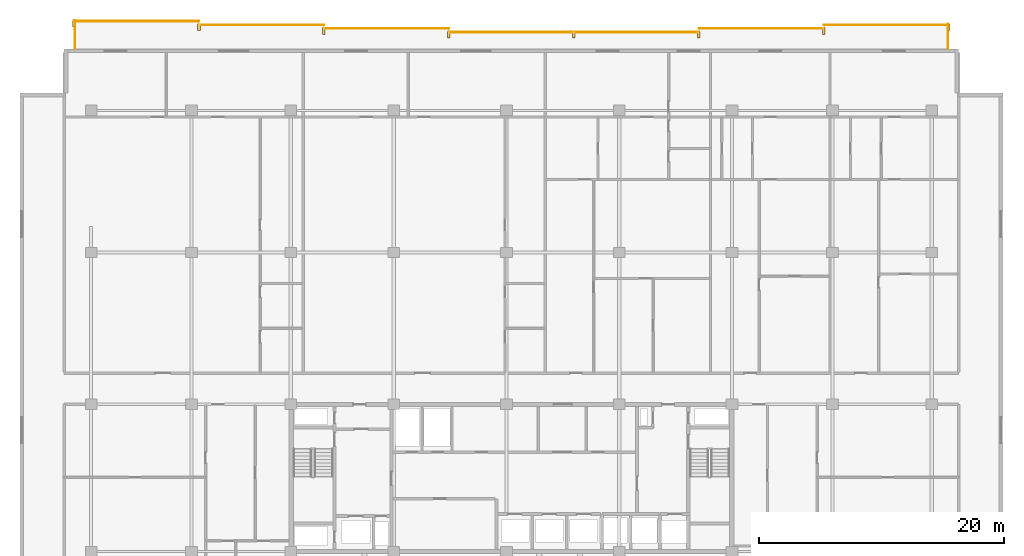
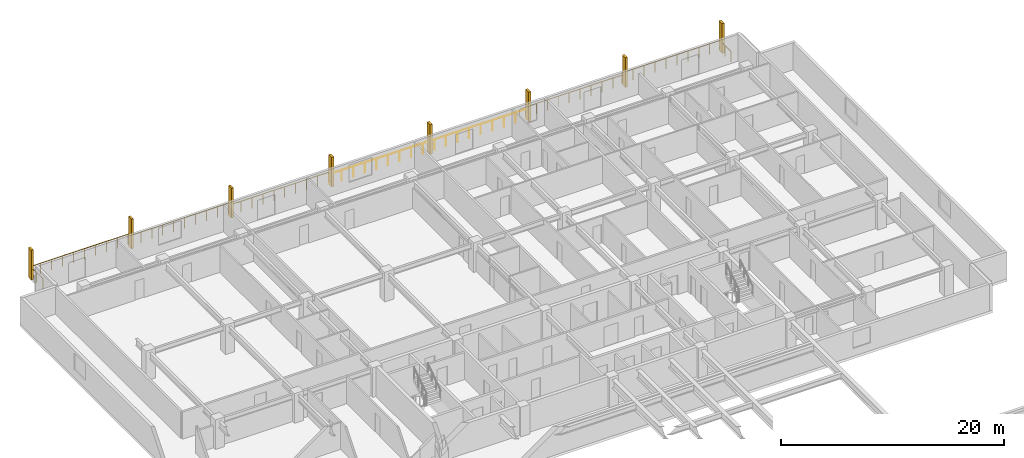
# One storey, part 21 of 21: 8 railings, 8 shading devices.
"""IFC4 building model written with IfcOpenShell, lengths in metres."""

from ifc_helpers import new_model, si_unit, direction, frame, origin, origin_2d, place, context, subcontext, project, spatial, rectangle, circle, extrude, material, type_object, element, save


model = new_model("IFC4")

# Units and contexts
model_context = context("Model", 3, precision=1e-05, world=origin(), true_north=direction((0.0, 1.0)))
body_context = subcontext(model_context, "Body", "Model", "MODEL_VIEW")
ifc_project = project(units=[si_unit("LENGTHUNIT", "METRE"), si_unit("AREAUNIT", "SQUARE_METRE"), si_unit("VOLUMEUNIT", "CUBIC_METRE"), si_unit("PLANEANGLEUNIT", "RADIAN"), si_unit("MASSUNIT", "GRAM", prefix="KILO")], contexts=[model_context])

# Site, building, storey
site_placement = place(None, origin())
site = spatial("IfcSite", under=ifc_project, at=site_placement, CompositionType="ELEMENT")
building_placement = place(site_placement, origin())
building = spatial("IfcBuilding", under=site, at=building_placement, Name="Korimba Cascade Residences", CompositionType="ELEMENT")
storey_placement = place(building_placement, frame((0.0, 0.0, 136.050048828125)))
storey = spatial("IfcBuildingStorey", under=building, at=storey_placement, Name="L39", CompositionType="ELEMENT", Elevation=136.050048828125)

# Railings
ifc_material_1 = material(Name="Laminated Glass and Bronze Balustrade", Category="glass")
railing_type = type_object("IfcRailingType", Name="RLG-LOG-1150", PredefinedType="BALUSTRADE", material=ifc_material_1)
railing_1_placement = place(storey_placement, frame((129.719970703125, 96.199951171875, 0.0)))
element("IfcRailing", 1, at=railing_1_placement, inside=storey, type_object=railing_type, Name="L39 Perimeter Guardrail RLG-L39-T1-LOG-01", PredefinedType="BALUSTRADE", context=body_context, shape_type="SweptSolid", body=[
    extrude(circle(Radius=0.02392578125, at=origin_2d()), frame((0.0, 0.0, 1.1259765625), z_axis=(0.0, 1.0, 0.0), x_axis=(-1.0, 0.0, 0.0)), (0.0, 0.0, 1.0), 2.050048828125),
    extrude(circle(Radius=0.02099609375, at=origin_2d()), origin(), (0.0, 0.0, 1.0), 1.101806640625),
    extrude(circle(Radius=0.02099609375, at=origin_2d()), frame((0.0, 1.02490234375, 0.0)), (0.0, 0.0, 1.0), 1.101806640625),
    extrude(circle(Radius=0.02099609375, at=origin_2d()), frame((0.0, 2.050048828125, 0.0)), (0.0, 0.0, 1.0), 1.101806640625),
])
railing_2_placement = place(storey_placement, frame((129.800048828125, 98.169921875, 0.0)))
element("IfcRailing", 2, at=railing_2_placement, inside=storey, type_object=railing_type, Name="L39 Perimeter Guardrail RLG-L39-T1-LOG-02", PredefinedType="BALUSTRADE", context=body_context, shape_type="SweptSolid", body=[
    extrude(circle(Radius=0.02392578125, at=origin_2d()), frame((0.0, 0.0, 1.1259765625), z_axis=(-1.0, 0.0, 0.0), x_axis=(0.0, -1.0, 0.0)), (0.0, 0.0, 1.0), 10.199951171875),
    extrude(circle(Radius=0.02099609375, at=origin_2d()), origin(), (0.0, 0.0, 1.0), 1.101806640625),
    extrude(circle(Radius=0.02099609375, at=origin_2d()), frame((-1.13330078125, 0.0, 0.0)), (0.0, 0.0, 1.0), 1.101806640625),
    extrude(circle(Radius=0.02099609375, at=origin_2d()), frame((-2.2666015625, 0.0, 0.0)), (0.0, 0.0, 1.0), 1.101806640625),
    extrude(circle(Radius=0.02099609375, at=origin_2d()), frame((-3.39990234375, 0.0, 0.0)), (0.0, 0.0, 1.0), 1.101806640625),
    extrude(circle(Radius=0.02099609375, at=origin_2d()), frame((-4.533203125, 0.0, 0.0)), (0.0, 0.0, 1.0), 1.101806640625),
    extrude(circle(Radius=0.02099609375, at=origin_2d()), frame((-5.666748046875, 0.0, 0.0)), (0.0, 0.0, 1.0), 1.101806640625),
    extrude(circle(Radius=0.02099609375, at=origin_2d()), frame((-6.800048828125, 0.0, 0.0)), (0.0, 0.0, 1.0), 1.101806640625),
    extrude(circle(Radius=0.02099609375, at=origin_2d()), frame((-7.933349609375, 0.0, 0.0)), (0.0, 0.0, 1.0), 1.101806640625),
    extrude(circle(Radius=0.02099609375, at=origin_2d()), frame((-9.066650390625, 0.0, 0.0)), (0.0, 0.0, 1.0), 1.101806640625),
    extrude(circle(Radius=0.02099609375, at=origin_2d()), frame((-10.199951171875, 0.0, 0.0)), (0.0, 0.0, 1.0), 1.101806640625),
])
railing_3_placement = place(storey_placement, frame((119.60009765625, 97.8701171875, 0.0)))
element("IfcRailing", 3, at=railing_3_placement, inside=storey, type_object=railing_type, Name="L39 Perimeter Guardrail RLG-L39-T1-LOG-03", PredefinedType="BALUSTRADE", context=body_context, shape_type="SweptSolid", body=[
    extrude(circle(Radius=0.02392578125, at=origin_2d()), frame((0.0, 0.0, 1.1259765625), z_axis=(-1.0, 0.0, 0.0), x_axis=(0.0, -1.0, 0.0)), (0.0, 0.0, 1.0), 10.2001953125),
    extrude(circle(Radius=0.02099609375, at=origin_2d()), origin(), (0.0, 0.0, 1.0), 1.101806640625),
    extrude(circle(Radius=0.02099609375, at=origin_2d()), frame((-1.13330078125, 0.0, 0.0)), (0.0, 0.0, 1.0), 1.101806640625),
    extrude(circle(Radius=0.02099609375, at=origin_2d()), frame((-2.2666015625, 0.0, 0.0)), (0.0, 0.0, 1.0), 1.101806640625),
    extrude(circle(Radius=0.02099609375, at=origin_2d()), frame((-3.400146484375, 0.0, 0.0)), (0.0, 0.0, 1.0), 1.101806640625),
    extrude(circle(Radius=0.02099609375, at=origin_2d()), frame((-4.533447265625, 0.0, 0.0)), (0.0, 0.0, 1.0), 1.101806640625),
    extrude(circle(Radius=0.02099609375, at=origin_2d()), frame((-5.666748046875, 0.0, 0.0)), (0.0, 0.0, 1.0), 1.101806640625),
    extrude(circle(Radius=0.02099609375, at=origin_2d()), frame((-6.800048828125, 0.0, 0.0)), (0.0, 0.0, 1.0), 1.101806640625),
    extrude(circle(Radius=0.02099609375, at=origin_2d()), frame((-7.93359375, 0.0, 0.0)), (0.0, 0.0, 1.0), 1.101806640625),
    extrude(circle(Radius=0.02099609375, at=origin_2d()), frame((-9.06689453125, 0.0, 0.0)), (0.0, 0.0, 1.0), 1.101806640625),
    extrude(circle(Radius=0.02099609375, at=origin_2d()), frame((-10.2001953125, 0.0, 0.0)), (0.0, 0.0, 1.0), 1.101806640625),
])
railing_4_placement = place(storey_placement, frame((109.39990234375, 97.570068359375, 0.0)))
element("IfcRailing", 4, at=railing_4_placement, inside=storey, type_object=railing_type, Name="L39 Perimeter Guardrail RLG-L39-T1-LOG-04", PredefinedType="BALUSTRADE", context=body_context, shape_type="SweptSolid", body=[
    extrude(circle(Radius=0.02392578125, at=origin_2d()), frame((0.0, 0.0, 1.1259765625), z_axis=(-1.0, 0.0, 0.0), x_axis=(0.0, -1.0, 0.0)), (0.0, 0.0, 1.0), 20.39990234375),
    extrude(circle(Radius=0.02099609375, at=origin_2d()), origin(), (0.0, 0.0, 1.0), 1.101806640625),
    extrude(circle(Radius=0.02099609375, at=origin_2d()), frame((-1.199951171875, 0.0, 0.0)), (0.0, 0.0, 1.0), 1.101806640625),
    extrude(circle(Radius=0.02099609375, at=origin_2d()), frame((-2.39990234375, 0.0, 0.0)), (0.0, 0.0, 1.0), 1.101806640625),
    extrude(circle(Radius=0.02099609375, at=origin_2d()), frame((-3.60009765625, 0.0, 0.0)), (0.0, 0.0, 1.0), 1.101806640625),
    extrude(circle(Radius=0.02099609375, at=origin_2d()), frame((-4.800048828125, 0.0, 0.0)), (0.0, 0.0, 1.0), 1.101806640625),
    extrude(circle(Radius=0.02099609375, at=origin_2d()), frame((-6.0, 0.0, 0.0)), (0.0, 0.0, 1.0), 1.101806640625),
    extrude(circle(Radius=0.02099609375, at=origin_2d()), frame((-7.199951171875, 0.0, 0.0)), (0.0, 0.0, 1.0), 1.101806640625),
    extrude(circle(Radius=0.02099609375, at=origin_2d()), frame((-8.39990234375, 0.0, 0.0)), (0.0, 0.0, 1.0), 1.101806640625),
    extrude(circle(Radius=0.02099609375, at=origin_2d()), frame((-9.599853515625, 0.0, 0.0)), (0.0, 0.0, 1.0), 1.101806640625),
    extrude(circle(Radius=0.02099609375, at=origin_2d()), frame((-10.800048828125, 0.0, 0.0)), (0.0, 0.0, 1.0), 1.101806640625),
    extrude(circle(Radius=0.02099609375, at=origin_2d()), frame((-12.0, 0.0, 0.0)), (0.0, 0.0, 1.0), 1.101806640625),
    extrude(circle(Radius=0.02099609375, at=origin_2d()), frame((-13.199951171875, 0.0, 0.0)), (0.0, 0.0, 1.0), 1.101806640625),
    extrude(circle(Radius=0.02099609375, at=origin_2d()), frame((-14.39990234375, 0.0, 0.0)), (0.0, 0.0, 1.0), 1.101806640625),
    extrude(circle(Radius=0.02099609375, at=origin_2d()), frame((-15.599853515625, 0.0, 0.0)), (0.0, 0.0, 1.0), 1.101806640625),
    extrude(circle(Radius=0.02099609375, at=origin_2d()), frame((-16.7998046875, 0.0, 0.0)), (0.0, 0.0, 1.0), 1.101806640625),
    extrude(circle(Radius=0.02099609375, at=origin_2d()), frame((-18.0, 0.0, 0.0)), (0.0, 0.0, 1.0), 1.101806640625),
    extrude(circle(Radius=0.02099609375, at=origin_2d()), frame((-19.199951171875, 0.0, 0.0)), (0.0, 0.0, 1.0), 1.101806640625),
    extrude(circle(Radius=0.02099609375, at=origin_2d()), frame((-20.39990234375, 0.0, 0.0)), (0.0, 0.0, 1.0), 1.101806640625),
])
for number, where, name in (
    (5, (89.0, 97.8701171875, 0.0), "L39 Perimeter Guardrail RLG-L39-T1-LOG-05"),
    (6, (78.800048828125, 98.169921875, 0.0), "L39 Perimeter Guardrail RLG-L39-T1-LOG-06"),
):
    element("IfcRailing", number, at=place(storey_placement, frame(where)), inside=storey, type_object=railing_type, Name=name, PredefinedType="BALUSTRADE", context=body_context, shape_type="SweptSolid", body=[
        extrude(circle(Radius=0.02392578125, at=origin_2d()), frame((0.0, 0.0, 1.1259765625), z_axis=(-1.0, 0.0, 0.0), x_axis=(0.0, -1.0, 0.0)), (0.0, 0.0, 1.0), 10.199951171875),
        extrude(circle(Radius=0.02099609375, at=origin_2d()), origin(), (0.0, 0.0, 1.0), 1.101806640625),
        extrude(circle(Radius=0.02099609375, at=origin_2d()), frame((-1.13330078125, 0.0, 0.0)), (0.0, 0.0, 1.0), 1.101806640625),
        extrude(circle(Radius=0.02099609375, at=origin_2d()), frame((-2.2666015625, 0.0, 0.0)), (0.0, 0.0, 1.0), 1.101806640625),
        extrude(circle(Radius=0.02099609375, at=origin_2d()), frame((-3.39990234375, 0.0, 0.0)), (0.0, 0.0, 1.0), 1.101806640625),
        extrude(circle(Radius=0.02099609375, at=origin_2d()), frame((-4.533203125, 0.0, 0.0)), (0.0, 0.0, 1.0), 1.101806640625),
        extrude(circle(Radius=0.02099609375, at=origin_2d()), frame((-5.666748046875, 0.0, 0.0)), (0.0, 0.0, 1.0), 1.101806640625),
        extrude(circle(Radius=0.02099609375, at=origin_2d()), frame((-6.800048828125, 0.0, 0.0)), (0.0, 0.0, 1.0), 1.101806640625),
        extrude(circle(Radius=0.02099609375, at=origin_2d()), frame((-7.933349609375, 0.0, 0.0)), (0.0, 0.0, 1.0), 1.101806640625),
        extrude(circle(Radius=0.02099609375, at=origin_2d()), frame((-9.066650390625, 0.0, 0.0)), (0.0, 0.0, 1.0), 1.101806640625),
        extrude(circle(Radius=0.02099609375, at=origin_2d()), frame((-10.199951171875, 0.0, 0.0)), (0.0, 0.0, 1.0), 1.101806640625),
    ])
railing_5_placement = place(storey_placement, frame((68.60009765625, 98.469970703125, 0.0)))
element("IfcRailing", 7, at=railing_5_placement, inside=storey, type_object=railing_type, Name="L39 Perimeter Guardrail RLG-L39-T1-LOG-07", PredefinedType="BALUSTRADE", context=body_context, shape_type="SweptSolid", body=[
    extrude(circle(Radius=0.02392578125, at=origin_2d()), frame((0.0, 0.0, 1.1259765625), z_axis=(-1.0, 0.0, 0.0), x_axis=(0.0, -1.0, 0.0)), (0.0, 0.0, 1.0), 10.2001953125),
    extrude(circle(Radius=0.02099609375, at=origin_2d()), origin(), (0.0, 0.0, 1.0), 1.101806640625),
    extrude(circle(Radius=0.02099609375, at=origin_2d()), frame((-1.13330078125, 0.0, 0.0)), (0.0, 0.0, 1.0), 1.101806640625),
    extrude(circle(Radius=0.02099609375, at=origin_2d()), frame((-2.2666015625, 0.0, 0.0)), (0.0, 0.0, 1.0), 1.101806640625),
    extrude(circle(Radius=0.02099609375, at=origin_2d()), frame((-3.400146484375, 0.0, 0.0)), (0.0, 0.0, 1.0), 1.101806640625),
    extrude(circle(Radius=0.02099609375, at=origin_2d()), frame((-4.533447265625, 0.0, 0.0)), (0.0, 0.0, 1.0), 1.101806640625),
    extrude(circle(Radius=0.02099609375, at=origin_2d()), frame((-5.666748046875, 0.0, 0.0)), (0.0, 0.0, 1.0), 1.101806640625),
    extrude(circle(Radius=0.02099609375, at=origin_2d()), frame((-6.800048828125, 0.0, 0.0)), (0.0, 0.0, 1.0), 1.101806640625),
    extrude(circle(Radius=0.02099609375, at=origin_2d()), frame((-7.93359375, 0.0, 0.0)), (0.0, 0.0, 1.0), 1.101806640625),
    extrude(circle(Radius=0.02099609375, at=origin_2d()), frame((-9.06689453125, 0.0, 0.0)), (0.0, 0.0, 1.0), 1.101806640625),
    extrude(circle(Radius=0.02099609375, at=origin_2d()), frame((-10.2001953125, 0.0, 0.0)), (0.0, 0.0, 1.0), 1.101806640625),
])
railing_6_placement = place(storey_placement, frame((58.47998046875, 98.550048828125, 0.0)))
element("IfcRailing", 8, at=railing_6_placement, inside=storey, type_object=railing_type, Name="L39 Perimeter Guardrail RLG-L39-T1-LOG-08", PredefinedType="BALUSTRADE", context=body_context, shape_type="SweptSolid", body=[
    extrude(circle(Radius=0.02392578125, at=origin_2d()), frame((0.0, 0.0, 1.1259765625), z_axis=(0.0, -1.0, 0.0), x_axis=(1.0, 0.0, 0.0)), (0.0, 0.0, 1.0), 2.35009765625),
    extrude(circle(Radius=0.02099609375, at=origin_2d()), origin(), (0.0, 0.0, 1.0), 1.101806640625),
    extrude(circle(Radius=0.02099609375, at=origin_2d()), frame((0.0, -1.175048828125, 0.0)), (0.0, 0.0, 1.0), 1.101806640625),
    extrude(circle(Radius=0.02099609375, at=origin_2d()), frame((0.0, -2.35009765625, 0.0)), (0.0, 0.0, 1.0), 1.101806640625),
])

# Shading devices
ifc_material_2 = material(Name="Honed Sandstone Precast Fin", Category="masonry")
shading_device_type = type_object("IfcShadingDeviceType", Name="SHD-FIN-550", PredefinedType="USERDEFINED", material=ifc_material_2)
for number, where, z_axis, x_axis, name in (
    (9, (58.39990234375, 98.27490234375, 0.0), (0.0, 0.0, 1.0), (1.0, 0.0, 0.0), "L39 T1 Warm-Stone Loggia Fin 1"),
    (10, (68.60009765625, 97.97509765625, 0.0), (0.0, 0.0, 1.0), (1.0, 0.0, 0.0), "L39 T1 Warm-Stone Loggia Fin 2"),
    (11, (78.800048828125, 97.675048828125, 0.0), (0.0, 0.0, 1.0), (1.0, 0.0, 0.0), "L39 T1 Warm-Stone Loggia Fin 3"),
    (12, (89.0, 97.375, 0.0), (0.0, 0.0, 1.0), (1.0, 0.0, 0.0), "L39 T1 Warm-Stone Loggia Fin 4"),
    (13, (99.199951171875, 97.375, 0.0), (0.0, 0.0, 1.0), (1.0, 0.0, 0.0), "L39 T1 Warm-Stone Loggia Fin 5"),
    (14, (109.39990234375, 97.375, 0.0), (0.0, 0.0, 1.0), (1.0, 0.0, 0.0), "L39 T1 Warm-Stone Loggia Fin 6"),
    (15, (119.60009765625, 97.675048828125, 0.0), (0.0, 0.0, 1.0), (1.0, 0.0, 0.0), "L39 T1 Warm-Stone Loggia Fin 7"),
    (16, (129.800048828125, 97.97509765625, 0.0), (0.0, 0.0, 1.0), (1.0, 0.0, 0.0), "L39 T1 Warm-Stone Loggia Fin 8"),
):
    element("IfcShadingDevice", number, at=place(storey_placement, frame(where, z_axis=z_axis, x_axis=x_axis)), inside=storey, type_object=shading_device_type, Name=name, ObjectType="FIN", PredefinedType="USERDEFINED", context=body_context, shape_type="SweptSolid", body=[
        extrude(rectangle(XDim=0.219970703125, YDim=0.550048828125, at=origin_2d()), origin(), (0.0, 0.0, 1.0), 3.25),
    ])

save(model, "model.ifc")
